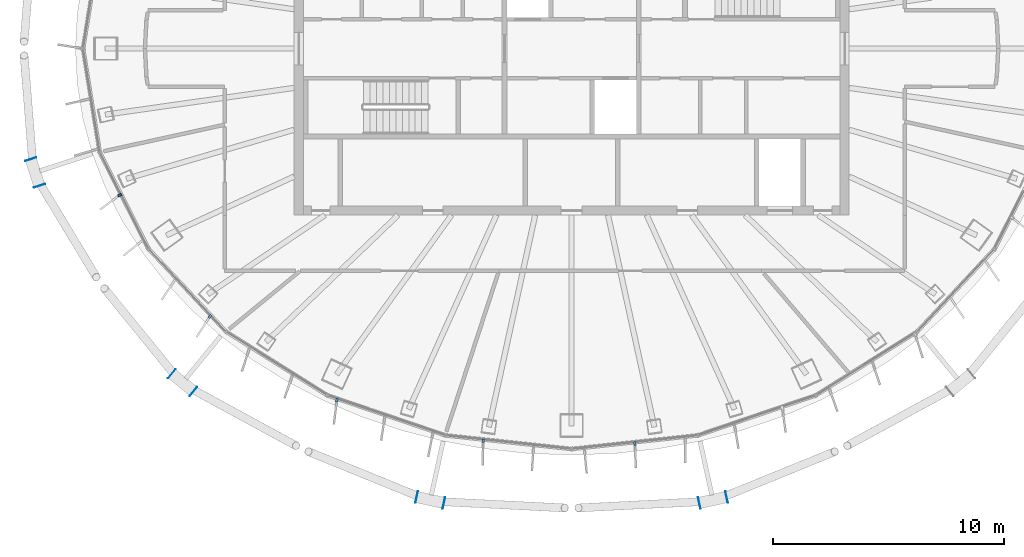
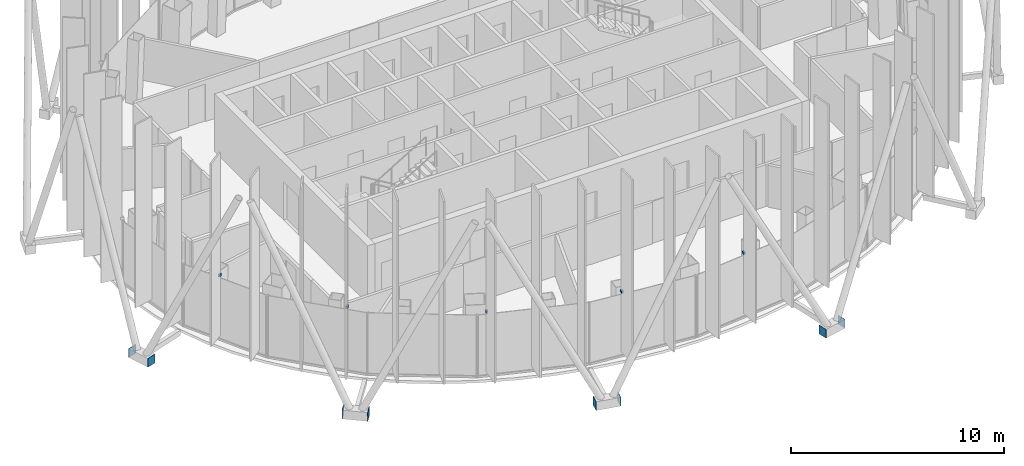
# One storey, part 12 of 19: 13 discrete accessories.
"""IFC4 building model written with IfcOpenShell, lengths in metres."""

from ifc_helpers import new_model, si_unit, direction, frame, origin, origin_2d, place, context, subcontext, project, spatial, rectangle, extrude, material, layer, layer_set, type_object, element, save


model = new_model("IFC4")

# Units and contexts
model_context = context("Model", 3, precision=1e-05, world=origin(), true_north=direction((0.0, 1.0)))
body_context = subcontext(model_context, "Body", "Model", "MODEL_VIEW")
ifc_project = project(units=[si_unit("LENGTHUNIT", "METRE"), si_unit("AREAUNIT", "SQUARE_METRE"), si_unit("VOLUMEUNIT", "CUBIC_METRE"), si_unit("PLANEANGLEUNIT", "RADIAN"), si_unit("MASSUNIT", "GRAM", prefix="KILO")], contexts=[model_context])

# Site, building, storey
site_placement = place(None, origin())
site = spatial("IfcSite", under=ifc_project, at=site_placement, CompositionType="ELEMENT")
building_placement = place(site_placement, origin())
building = spatial("IfcBuilding", under=site, at=building_placement, Name="Siaravel Broadcast Tower", CompositionType="ELEMENT")
storey_placement = place(building_placement, frame((0.0, 0.0, 239.300048828125)))
storey = spatial("IfcBuildingStorey", under=building, at=storey_placement, Name="L58", CompositionType="ELEMENT", Elevation=239.300048828125)

# Discrete accessories
ifc_material_1 = material(Name="Stainless steel 316", Category="steel")
discrete_accessory_type_1 = type_object("IfcDiscreteAccessoryType", Name="Stainless steel fin bracket", PredefinedType="USERDEFINED", material=ifc_material_1)
for number, where, z_axis, x_axis, name in (
    (1, (-19.529296875, -6.33154296875, 3.6748046875), (0.0, 0.0, 1.0), (-0.892392939, -0.451259174, 0.0), "Fin bracket L58-31"),
    (2, (-15.632568359375, -11.57763671875, 3.6748046875), (0.0, 0.0, 1.0), (-0.729806802, -0.683653445, 0.0), "Fin bracket L58-34"),
    (3, (-10.147705078125, -15.19189453125, 3.6748046875), (0.0, 0.0, 1.0), (-0.321302287, -0.946976684, 0.0), "Fin bracket L58-37"),
    (4, (-3.82373046875, -16.954833984375, 3.6748046875), (0.0, 0.0, 1.0), (-0.107218518, -0.99423548, 0.0), "Fin bracket L58-40"),
    (5, (2.733154296875, -17.072509765625, 3.6748046875), (0.0, 0.0, 1.0), (0.107218518, -0.99423548, 0.0), "Fin bracket L58-43"),
):
    element("IfcDiscreteAccessory", number, at=place(storey_placement, frame(where, z_axis=z_axis, x_axis=x_axis)), inside=storey, type_object=discrete_accessory_type_1, Name=name, ObjectType="BRACKET", PredefinedType="USERDEFINED", context=body_context, shape_type="SweptSolid", body=[
        extrude(rectangle(XDim=0.159912109375, YDim=0.10009765625, at=origin_2d()), origin(), (0.0, 0.0, 1.0), 0.139892578125),
    ])
ifc_material_2 = material(Name="Steel S355", Category="steel")
ifc_layer = layer(ifc_material_2, 0.02001953125)
ifc_layer_set = layer_set([ifc_layer], Name="Steel S355")
discrete_accessory_type_2 = type_object("IfcDiscreteAccessoryType", Name="Steel end plate 20 mm", PredefinedType="USERDEFINED", material=ifc_layer_set)
for number, where, z_axis, x_axis, name in (
    (6, (-23.004638671875, -5.9296875, -0.449951171875), (0.0, 0.0, 1.0), (0.310908675, -0.950439791, 0.0), "End plate R24 station 39A"),
    (7, (-23.3798828125, -4.78271484375, -0.449951171875), (0.0, 0.0, 1.0), (0.310908675, -0.950439791, 0.0), "End plate R24 station 39B"),
    (8, (-16.349609375, -14.818603515625, -0.449951171875), (0.0, 0.0, 1.0), (0.773604694, -0.633668508, 0.0), "End plate R24 station 45A"),
    (9, (-17.283203125, -14.05419921875, -0.449951171875), (0.0, 0.0, 1.0), (0.773604694, -0.633668508, 0.0), "End plate R24 station 45B"),
    (10, (-5.520263671875, -19.641845703125, -0.449951171875), (0.0, 0.0, 1.0), (0.976750917, -0.214377344, 0.0), "End plate R24 station 51A"),
    (11, (-6.698974609375, -19.383056640625, -0.449951171875), (0.0, 0.0, 1.0), (0.976750917, -0.214377344, 0.0), "End plate R24 station 51B"),
    (12, (6.698974609375, -19.383056640625, -0.449951171875), (0.0, 0.0, 1.0), (0.976750917, 0.214377344, 0.0), "End plate R24 station 57A"),
    (13, (5.520263671875, -19.641845703125, -0.449951171875), (0.0, 0.0, 1.0), (0.976750917, 0.214377344, 0.0), "End plate R24 station 57B"),
):
    element("IfcDiscreteAccessory", number, at=place(storey_placement, frame(where, z_axis=z_axis, x_axis=x_axis)), inside=storey, type_object=discrete_accessory_type_2, Name=name, ObjectType="END PLATE", PredefinedType="USERDEFINED", context=body_context, shape_type="SweptSolid", body=[
        extrude(rectangle(XDim=0.02001953125, YDim=0.5, at=origin_2d()), origin(), (0.0, 0.0, 1.0), 0.5),
    ])

save(model, "model.ifc")
